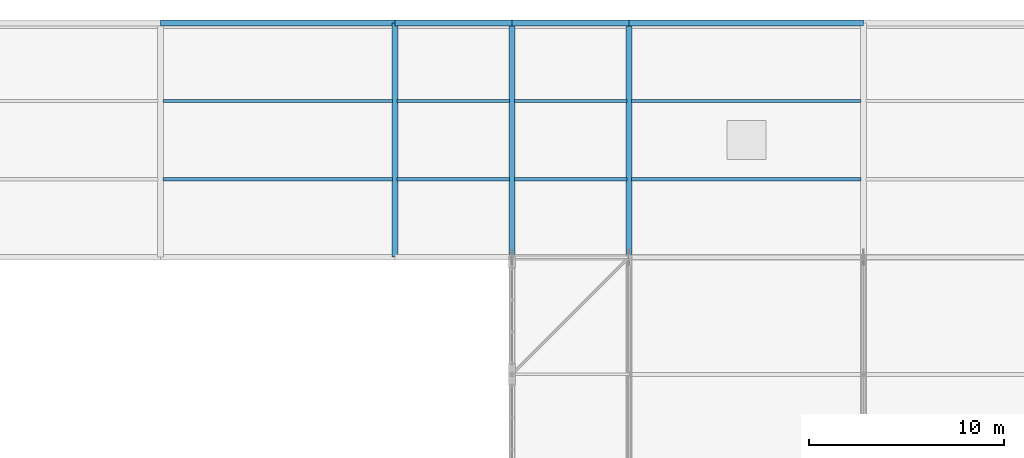
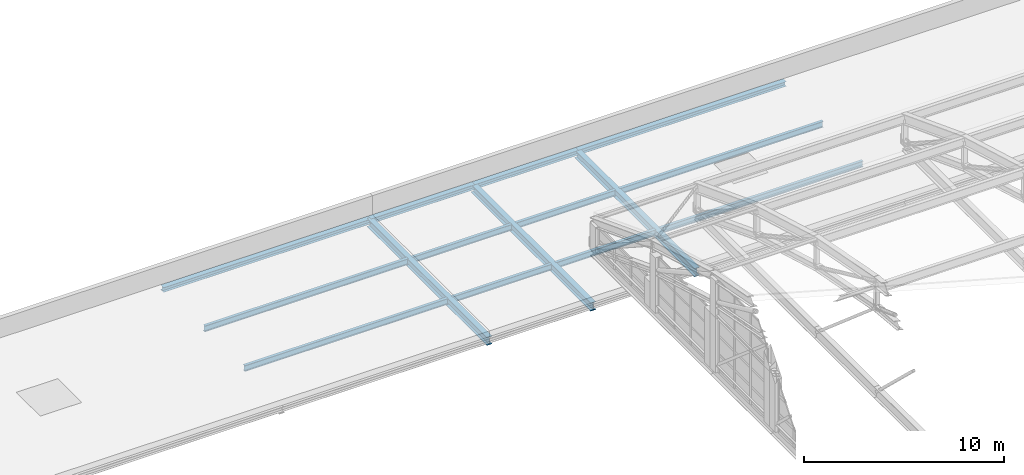
# One storey, part 145 of 204: 15 beams.
"""IFC4 building model written with IfcOpenShell, lengths in metres."""

from ifc_helpers import new_model, si_unit, direction, frame, origin, origin_2d, place, context, subcontext, project, spatial, i_section, extrude, material, material_profile, profile_set, type_object, element, save


model = new_model("IFC4")

# Units and contexts
model_context = context("Model", 3, precision=1e-05, world=origin(), true_north=direction((0.0, 1.0)))
body_context = subcontext(model_context, "Body", "Model", "MODEL_VIEW")
ifc_project = project(units=[si_unit("LENGTHUNIT", "METRE"), si_unit("AREAUNIT", "SQUARE_METRE"), si_unit("VOLUMEUNIT", "CUBIC_METRE"), si_unit("PLANEANGLEUNIT", "RADIAN"), si_unit("MASSUNIT", "GRAM", prefix="KILO")], contexts=[model_context])

# Site, building, storey
site_placement = place(None, origin())
site = spatial("IfcSite", under=ifc_project, at=site_placement, CompositionType="ELEMENT")
building_placement = place(site_placement, origin())
building = spatial("IfcBuilding", under=site, at=building_placement, Name="Zilviju Railside Exhibition Hall", CompositionType="ELEMENT")
storey_placement = place(building_placement, frame((0.0, 0.0, 21.0)))
storey = spatial("IfcBuildingStorey", under=building, at=storey_placement, Name="RF", CompositionType="ELEMENT", Elevation=21.0)

# Beams
ifc_material = material(Name="Steel S355J2", Category="steel")
ifc_material_profile_1 = material_profile(ifc_material, i_section(OverallWidth=0.300048828125, OverallDepth=0.2900390625, WebThickness=0.008544921875, FlangeThickness=0.013916015625, at=origin_2d()), Name="HEA 300")
ifc_profile_set_1 = profile_set([ifc_material_profile_1], Name="Steel S355J2")
beam_type_1 = type_object("IfcBeamType", Name="BM-HEA300", PredefinedType="SPANDREL", material=ifc_profile_set_1)
beam_1_placement = place(storey_placement, frame((60.0, 150.0, -7.094970703125), z_axis=(1.0, 0.0, 0.0), x_axis=(0.0, 1.0, 0.0)))
element("IfcBeam", 1, at=beam_1_placement, inside=storey, type_object=beam_type_1, Name="Logistics Roof Beam Y=150.0 (60.0..72.0)", PredefinedType="SPANDREL", context=body_context, shape_type="SweptSolid", body=[
    extrude(i_section(OverallWidth=0.300048828125, OverallDepth=0.2900390625, WebThickness=0.008544921875, FlangeThickness=0.013916015625, at=origin_2d()), origin(), (0.0, 0.0, 1.0), 12.0),
])
for number, where, z_axis, x_axis, name in (
    (2, (72.0, 150.0, -7.094970703125), (1.0, 0.0, 0.0), (0.0, 1.0, 0.0), "Logistics Roof Beam Y=150.0 (72.0..78.0)"),
    (3, (78.0, 150.0, -7.094970703125), (1.0, 0.0, 0.0), (0.0, 1.0, 0.0), "Logistics Roof Beam Y=150.0 (78.0..84.0)"),
):
    element("IfcBeam", number, at=place(storey_placement, frame(where, z_axis=z_axis, x_axis=x_axis)), inside=storey, type_object=beam_type_1, Name=name, PredefinedType="SPANDREL", context=body_context, shape_type="SweptSolid", body=[
        extrude(i_section(OverallWidth=0.300048828125, OverallDepth=0.2900390625, WebThickness=0.008544921875, FlangeThickness=0.013916015625, at=origin_2d()), origin(), (0.0, 0.0, 1.0), 6.0),
    ])
beam_2_placement = place(storey_placement, frame((84.0, 150.0, -7.094970703125), z_axis=(1.0, 0.0, 0.0), x_axis=(0.0, 1.0, 0.0)))
element("IfcBeam", 4, at=beam_2_placement, inside=storey, type_object=beam_type_1, Name="Logistics Roof Beam Y=150.0 (84.0..96.0)", PredefinedType="SPANDREL", context=body_context, shape_type="SweptSolid", body=[
    extrude(i_section(OverallWidth=0.300048828125, OverallDepth=0.2900390625, WebThickness=0.008544921875, FlangeThickness=0.013916015625, at=origin_2d()), origin(), (0.0, 0.0, 1.0), 12.0),
])
ifc_material_profile_2 = material_profile(ifc_material, i_section(OverallWidth=0.300048828125, OverallDepth=0.5, WebThickness=0.014404296875, FlangeThickness=0.028076171875, at=origin_2d()), Name="HEB 500")
ifc_profile_set_2 = profile_set([ifc_material_profile_2], Name="Steel S355J2")
beam_type_2 = type_object("IfcBeamType", Name="BM-HEB500", PredefinedType="BEAM", material=ifc_profile_set_2)
for number, where, z_axis, x_axis, name in (
    (5, (72.0, 138.0, -7.199951171875), (0.0, 1.0, 0.0), (-1.0, 0.0, 0.0), "Logistics Roof Girder X=72.0"),
    (6, (78.0, 138.0, -7.199951171875), (0.0, 1.0, 0.0), (-1.0, 0.0, 0.0), "Logistics Roof Girder X=78.0"),
    (7, (84.0, 138.0, -7.199951171875), (0.0, 1.0, 0.0), (-1.0, 0.0, 0.0), "Logistics Roof Girder X=84.0"),
):
    element("IfcBeam", number, at=place(storey_placement, frame(where, z_axis=z_axis, x_axis=x_axis)), inside=storey, type_object=beam_type_2, Name=name, PredefinedType="BEAM", context=body_context, shape_type="SweptSolid", body=[
        extrude(i_section(OverallWidth=0.300048828125, OverallDepth=0.5, WebThickness=0.014404296875, FlangeThickness=0.028076171875, at=origin_2d()), origin(), (0.0, 0.0, 1.0), 12.0),
    ])
ifc_material_profile_3 = material_profile(ifc_material, i_section(OverallWidth=0.169921875, OverallDepth=0.360107421875, WebThickness=0.008056640625, FlangeThickness=0.0126953125, at=origin_2d()), Name="IPE 360")
ifc_profile_set_3 = profile_set([ifc_material_profile_3], Name="Steel S355J2")
beam_type_3 = type_object("IfcBeamType", Name="BM-IPE360", PredefinedType="JOIST", material=ifc_profile_set_3)
for number, where, z_axis, x_axis, name in (
    (8, (60.1201171875, 142.0, -7.1298828125), (1.0, 0.0, 0.0), (0.0, 1.0, 0.0), "Logistics Roof Beam Y=142.0 (60.0..72.0)"),
    (9, (60.1201171875, 146.0, -7.1298828125), (1.0, 0.0, 0.0), (0.0, 1.0, 0.0), "Logistics Roof Beam Y=146.0 (60.0..72.0)"),
):
    element("IfcBeam", number, at=place(storey_placement, frame(where, z_axis=z_axis, x_axis=x_axis)), inside=storey, type_object=beam_type_3, Name=name, PredefinedType="JOIST", context=body_context, shape_type="SweptSolid", body=[
        extrude(i_section(OverallWidth=0.169921875, OverallDepth=0.360107421875, WebThickness=0.008056640625, FlangeThickness=0.0126953125, at=origin_2d()), origin(), (0.0, 0.0, 1.0), 11.759765625),
    ])
for number, where, z_axis, x_axis, name in (
    (10, (72.1201171875, 142.0, -7.1298828125), (1.0, 0.0, 0.0), (0.0, 1.0, 0.0), "Logistics Roof Beam Y=142.0 (72.0..78.0)"),
    (11, (72.1201171875, 146.0, -7.1298828125), (1.0, 0.0, 0.0), (0.0, 1.0, 0.0), "Logistics Roof Beam Y=146.0 (72.0..78.0)"),
    (12, (78.1201171875, 142.0, -7.1298828125), (1.0, 0.0, 0.0), (0.0, 1.0, 0.0), "Logistics Roof Beam Y=142.0 (78.0..84.0)"),
    (13, (78.1201171875, 146.0, -7.1298828125), (1.0, 0.0, 0.0), (0.0, 1.0, 0.0), "Logistics Roof Beam Y=146.0 (78.0..84.0)"),
):
    element("IfcBeam", number, at=place(storey_placement, frame(where, z_axis=z_axis, x_axis=x_axis)), inside=storey, type_object=beam_type_3, Name=name, PredefinedType="JOIST", context=body_context, shape_type="SweptSolid", body=[
        extrude(i_section(OverallWidth=0.169921875, OverallDepth=0.360107421875, WebThickness=0.008056640625, FlangeThickness=0.0126953125, at=origin_2d()), origin(), (0.0, 0.0, 1.0), 5.759765625),
    ])
for number, where, z_axis, x_axis, name in (
    (14, (84.1201171875, 142.0, -7.1298828125), (1.0, 0.0, 0.0), (0.0, 1.0, 0.0), "Logistics Roof Beam Y=142.0 (84.0..96.0)"),
    (15, (84.1201171875, 146.0, -7.1298828125), (1.0, 0.0, 0.0), (0.0, 1.0, 0.0), "Logistics Roof Beam Y=146.0 (84.0..96.0)"),
):
    element("IfcBeam", number, at=place(storey_placement, frame(where, z_axis=z_axis, x_axis=x_axis)), inside=storey, type_object=beam_type_3, Name=name, PredefinedType="JOIST", context=body_context, shape_type="SweptSolid", body=[
        extrude(i_section(OverallWidth=0.169921875, OverallDepth=0.360107421875, WebThickness=0.008056640625, FlangeThickness=0.0126953125, at=origin_2d()), origin(), (0.0, 0.0, 1.0), 11.759765625),
    ])

save(model, "model.ifc")
